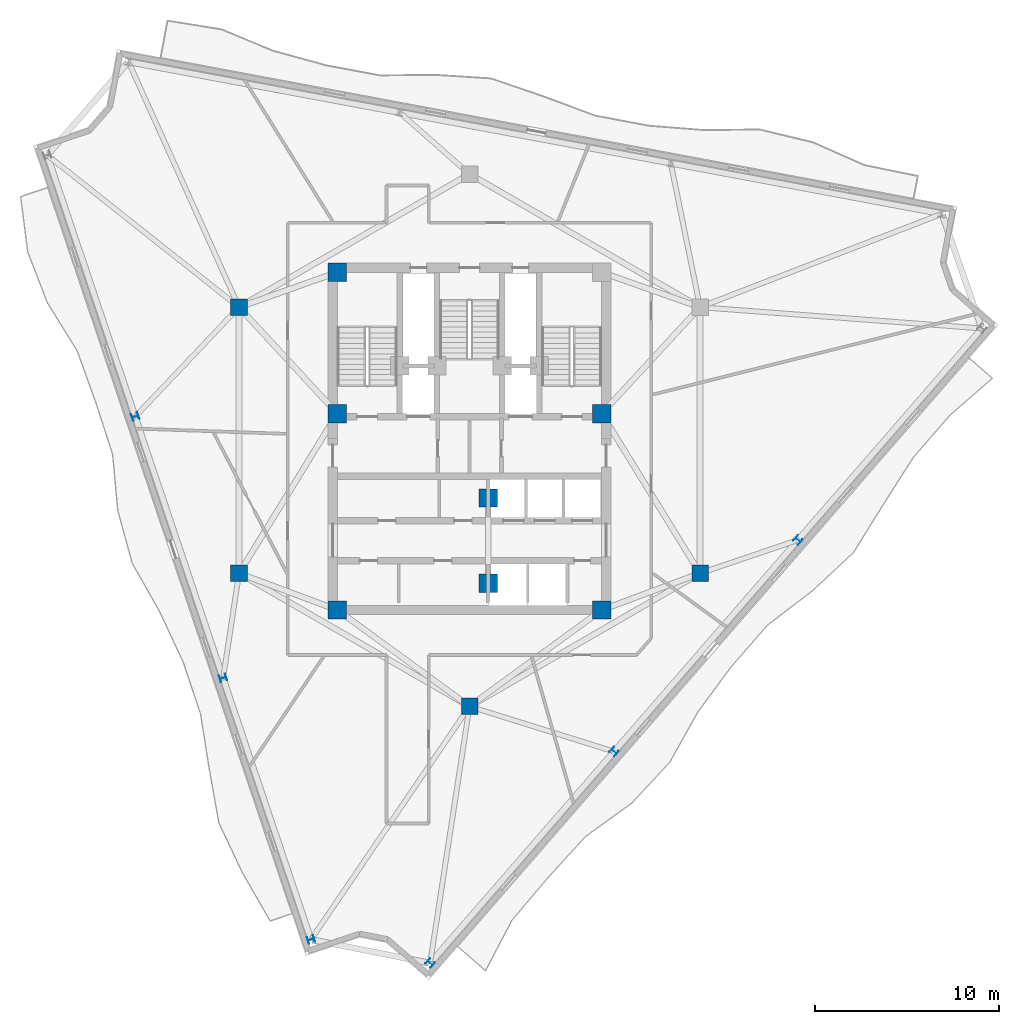
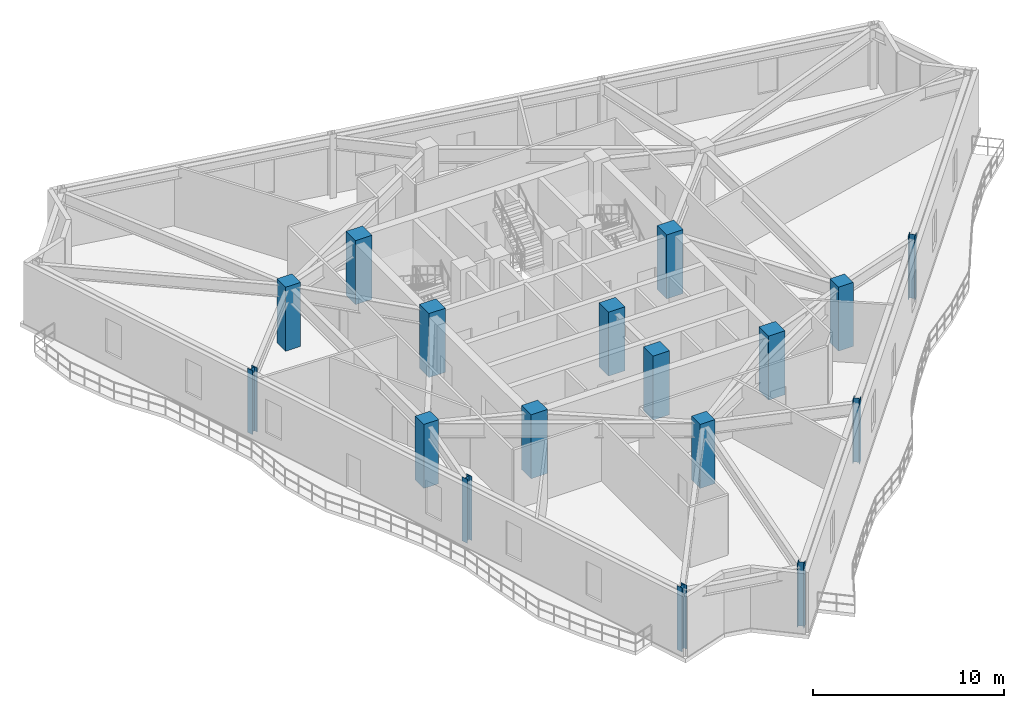
# One storey, part 1 of 9: 17 columns.
"""IFC4 building model written with IfcOpenShell, lengths in metres."""

import ifcopenshell
import ifcopenshell.guid

model = None  # the IFC model being written
_history = None  # IfcOwnerHistory: only IFC2X3 demands one
_inside = {}  # id of a spatial element -> (the spatial element, [elements in it])
_under = {}  # id of a project, library or spatial element -> (it, [spatial elements below it])
_declared = {}  # id of a project -> (the project, [libraries it declares])
_typed = {}  # id of a type object -> (the type object, [elements of that type])
_made_of = {}  # id of a material, layer set ... -> (it, [elements and type objects made of it])


def new_model(schema):
    """Start an empty IFC model of exactly this schema.

    Asked for "IFC4X3", IfcOpenShell would pick the latest addendum, in which some entities
    have other attributes; the version numbers below select the first issue.
    IFC2X3 requires an IfcOwnerHistory on every rooted entity: one is made here for all.
    """
    global model, _history
    if schema == "IFC4X3":
        model = ifcopenshell.file(schema_version=(4, 3, 0, 0))
    else:
        model = ifcopenshell.file(schema=schema)
    _inside.clear()
    _under.clear()
    _declared.clear()
    _typed.clear()
    _made_of.clear()
    _history = None
    if model.schema == "IFC2X3":
        org = make("IfcOrganization", Name="unknown")
        user = make(
            "IfcPersonAndOrganization",
            ThePerson=make("IfcPerson", FamilyName="unknown"),
            TheOrganization=org,
        )
        app = make(
            "IfcApplication",
            ApplicationDeveloper=org,
            Version="unknown",
            ApplicationFullName="unknown",
            ApplicationIdentifier="unknown",
        )
        _history = make(
            "IfcOwnerHistory",
            OwningUser=user,
            OwningApplication=app,
            ChangeAction="ADDED",
            CreationDate=0,
        )
    return model


def make(cls, **values):
    """One entity of the class cls with the attributes given. An attribute that is None is left unset."""
    return model.create_entity(
        cls, **{name: value for name, value in values.items() if value is not None}
    )


def rooted(cls, **values):
    """An entity with a GlobalId (a new one), such as an element, a storey or a relation."""
    return make(cls, GlobalId=ifcopenshell.guid.new(), OwnerHistory=_history, **values)


def si_unit(unit_type, name, prefix=None):
    """IfcSIUnit, for example si_unit("LENGTHUNIT", "METRE", prefix="MILLI")."""
    return make("IfcSIUnit", UnitType=unit_type, Prefix=prefix, Name=name)


def assignment(units):
    """IfcUnitAssignment: the units of a project."""
    return None if units is None else make("IfcUnitAssignment", Units=units)


def point(xyz):
    """IfcCartesianPoint."""
    return None if xyz is None else make("IfcCartesianPoint", Coordinates=xyz)


def direction(xyz):
    """IfcDirection."""
    return None if xyz is None else make("IfcDirection", DirectionRatios=xyz)


def frame(location, z_axis=None, x_axis=None):
    """IfcAxis2Placement3D, a coordinate frame: its origin and axes. An axis left out is left unset."""
    return make(
        "IfcAxis2Placement3D",
        Location=point(location),
        Axis=direction(z_axis),
        RefDirection=direction(x_axis),
    )


def frame_2d(location, x_axis=None):
    """IfcAxis2Placement2D, a coordinate frame in the plane: its origin and x axis."""
    return make(
        "IfcAxis2Placement2D", Location=point(location), RefDirection=direction(x_axis)
    )


def origin():
    """The frame at (0, 0, 0) with its axes left unset."""
    return frame((0.0, 0.0, 0.0))


def origin_2d():
    """The frame at (0, 0) in the plane with its x axis left unset."""
    return frame_2d((0.0, 0.0))


def place(relative_to, where):
    """IfcLocalPlacement: puts the frame where relative to a parent placement (None: the world)."""
    return make(
        "IfcLocalPlacement", PlacementRelTo=relative_to, RelativePlacement=where
    )


def context(
    kind, dimensions, precision=None, world=None, true_north=None, identifier=None
):
    """IfcGeometricRepresentationContext, for example the 3D "Model" context."""
    return make(
        "IfcGeometricRepresentationContext",
        ContextIdentifier=identifier,
        ContextType=kind,
        CoordinateSpaceDimension=dimensions,
        Precision=precision,
        WorldCoordinateSystem=world,
        TrueNorth=true_north,
    )


def subcontext(parent, identifier, kind, view, scale=None):
    """IfcGeometricRepresentationSubContext, for example "Body" below "Model"."""
    return make(
        "IfcGeometricRepresentationSubContext",
        ContextIdentifier=identifier,
        ContextType=kind,
        ParentContext=parent,
        TargetScale=scale,
        TargetView=view,
    )


def project(units=None, contexts=None):
    """IfcProject with its units and contexts."""
    return rooted(
        "IfcProject",
        Name="project",
        RepresentationContexts=contexts,
        UnitsInContext=assignment(units),
    )


def spatial(cls, under=None, at=None, **own):
    """A site, building, storey or space (cls), placed at a placement, below another one or the project."""
    s = rooted(cls, ObjectPlacement=at, **own)
    if under is not None:
        _under.setdefault(under.id(), (under, []))[1].append(s)
    return s


def profile(cls, at=None, kind="AREA", **sizes):
    """A parametric profile (cls). Its sizes go by their IFC names, for example OverallWidth=200.0."""
    return make(cls, ProfileType=kind, Position=at, **sizes)


def rectangle(**sizes):
    """IfcRectangleProfileDef."""
    return profile("IfcRectangleProfileDef", **sizes)


def i_section(**sizes):
    """IfcIShapeProfileDef."""
    return profile("IfcIShapeProfileDef", **sizes)


def extrude(swept, where, along, depth):
    """IfcExtrudedAreaSolid: the profile swept, set in the frame where, extruded along a direction by depth."""
    return make(
        "IfcExtrudedAreaSolid",
        SweptArea=swept,
        Position=where,
        ExtrudedDirection=direction(along),
        Depth=depth,
    )


def shape(context_of_items, identifier, shape_type, items):
    """IfcShapeRepresentation: the items that make up one representation, for example the "Body"."""
    return make(
        "IfcShapeRepresentation",
        ContextOfItems=context_of_items,
        RepresentationIdentifier=identifier,
        RepresentationType=shape_type,
        Items=items,
    )


def material(Name=None, Category=None):
    """IfcMaterial."""
    return make("IfcMaterial", Name=Name, Category=Category)


def material_profile(
    of_material, cross_section, Name=None, Category=None, Priority=None
):
    """IfcMaterialProfile: a cross section and its material."""
    return make(
        "IfcMaterialProfile",
        Name=Name,
        Material=of_material,
        Profile=cross_section,
        Priority=Priority,
        Category=Category,
    )


def profile_set(profiles, Name=None, composite=None):
    """IfcMaterialProfileSet."""
    return make(
        "IfcMaterialProfileSet",
        Name=Name,
        MaterialProfiles=profiles,
        CompositeProfile=composite,
    )


def made_of(thing, what):
    """Note that an element or type object is made of a material, layer set ...; save() writes the relation."""
    if what is not None:
        _made_of.setdefault(what.id(), (what, []))[1].append(thing)
    return thing


def type_object(cls, material=None, **own):
    """A type object (cls), such as IfcWallType, which elements share."""
    return made_of(rooted(cls, **own), material)


def element(
    cls,
    number,
    at=None,
    inside=None,
    cuts=None,
    type_object=None,
    material=None,
    context=None,
    identifier="Body",
    shape_type=None,
    held_by="IfcProductDefinitionShape",
    body=None,
    shapes=None,
    **own,
):
    """One element of the class cls, such as IfcWall. Its Tag is "e" and its number.

    at: its placement. inside: the storey or other place that contains it. cuts: it is an
    opening in that element (IfcRelVoidsElement). A single representation is given by context,
    identifier, shape_type and body (its items); several are given by shapes. held_by: the class
    of the entity that holds the representations. save() writes the other relations.
    """
    e = rooted(cls, Tag="e%d" % number, ObjectPlacement=at, **own)
    if body is not None:
        shapes = [shape(context, identifier, shape_type, body)]
    if shapes is not None:
        e.Representation = make(held_by, Representations=shapes)
    if inside is not None:
        _inside.setdefault(inside.id(), (inside, []))[1].append(e)
    if cuts is not None:
        rooted(
            "IfcRelVoidsElement", RelatingBuildingElement=cuts, RelatedOpeningElement=e
        )
    if type_object is not None:
        _typed.setdefault(type_object.id(), (type_object, []))[1].append(e)
    return made_of(e, material)


def aggregate(whole, parts):
    """IfcRelAggregates: a whole, such as a stair, and the parts it consists of."""
    return rooted("IfcRelAggregates", RelatingObject=whole, RelatedObjects=parts)


def save(model, path):
    """Write the relations noted so far, then the file.

    IfcRelAggregates (storeys below a building ...), IfcRelContainedInSpatialStructure (elements
    in a storey), IfcRelDefinesByType, IfcRelAssociatesMaterial and IfcRelDeclares: one each for
    every whole, place, type object, material and project.
    """
    for whole, parts in _under.values():
        aggregate(whole, parts)
    for where, things in _inside.values():
        rooted(
            "IfcRelContainedInSpatialStructure",
            RelatedElements=things,
            RelatingStructure=where,
        )
    for kind, things in _typed.values():
        rooted("IfcRelDefinesByType", RelatedObjects=things, RelatingType=kind)
    for what, things in _made_of.values():
        rooted("IfcRelAssociatesMaterial", RelatedObjects=things, RelatingMaterial=what)
    for by, libraries in _declared.values():
        rooted("IfcRelDeclares", RelatingContext=by, RelatedDefinitions=libraries)
    model.write(path)


model = new_model("IFC4")

# Units and contexts
model_context = context("Model", 3, precision=1e-05, world=origin(), true_north=direction((0.0, 1.0)))
body_context = subcontext(model_context, "Body", "Model", "MODEL_VIEW")
ifc_project = project(units=[si_unit("LENGTHUNIT", "METRE"), si_unit("AREAUNIT", "SQUARE_METRE"), si_unit("VOLUMEUNIT", "CUBIC_METRE"), si_unit("PLANEANGLEUNIT", "RADIAN"), si_unit("MASSUNIT", "GRAM", prefix="KILO")], contexts=[model_context])

# Site, building, storey
site_placement = place(None, origin())
site = spatial("IfcSite", under=ifc_project, at=site_placement, CompositionType="ELEMENT")
building_placement = place(site_placement, origin())
building = spatial("IfcBuilding", under=site, at=building_placement, Name="Apsidion Concourse Tower", CompositionType="ELEMENT")
storey_placement = place(building_placement, frame((0.0, 0.0, 273.699951171875)))
storey = spatial("IfcBuildingStorey", under=building, at=storey_placement, Name="L64", CompositionType="ELEMENT", Elevation=273.699951171875)

# Columns
ifc_material_1 = material(Name="Concrete C50/60", Category="concrete")
ifc_material_profile_1 = material_profile(ifc_material_1, rectangle(XDim=1.0, YDim=1.0, at=origin_2d()), Name="RC 1000x1000")
ifc_profile_set_1 = profile_set([ifc_material_profile_1], Name="Concrete C50/60")
column_type_1 = type_object("IfcColumnType", Name="COL-RC-1000", PredefinedType="COLUMN", material=ifc_profile_set_1)
for number, where, z_axis, x_axis, name in (
    (1, (-7.199951171875, -9.25, 0.0), (0.0, 0.0, 1.0), (1.0, 0.0, 0.0), "L64 Core Super-Column SC1"),
    (2, (7.199951171875, -9.25, 0.0), (0.0, 0.0, 1.0), (1.0, 0.0, 0.0), "L64 Core Super-Column SC2"),
    (3, (7.199951171875, 1.449951171875, 0.0), (0.0, 0.0, 1.0), (1.0, 0.0, 0.0), "L64 Core Super-Column SC3"),
    (4, (-7.199951171875, 9.14990234375, 0.0), (0.0, 0.0, 1.0), (1.0, 0.0, 0.0), "L64 Core Super-Column SC5"),
    (5, (-7.199951171875, 1.449951171875, 0.0), (0.0, 0.0, 1.0), (1.0, 0.0, 0.0), "L64 Core Super-Column SC6"),
    (6, (1.02490234375, -3.14990234375, 0.0), (0.0, 0.0, 1.0), (1.0, 0.0, 0.0), "L64 Core Super-Column CC5"),
    (7, (1.02490234375, -7.800048828125, 0.0), (0.0, 0.0, 1.0), (1.0, 0.0, 0.0), "L64 Core Super-Column CC6"),
):
    element("IfcColumn", number, at=place(storey_placement, frame(where, z_axis=z_axis, x_axis=x_axis)), inside=storey, type_object=column_type_1, Name=name, PredefinedType="COLUMN", context=body_context, shape_type="SweptSolid", body=[
        extrude(rectangle(XDim=1.0, YDim=1.0, at=origin_2d()), origin(), (0.0, 0.0, 1.0), 4.10009765625),
    ])
ifc_material_profile_2 = material_profile(ifc_material_1, rectangle(XDim=0.89990234375, YDim=0.89990234375, at=origin_2d()), Name="RC 900x900")
ifc_profile_set_2 = profile_set([ifc_material_profile_2], Name="Concrete C50/60")
column_type_2 = type_object("IfcColumnType", Name="COL-RC-900", PredefinedType="COLUMN", material=ifc_profile_set_2)
for number, where, z_axis, x_axis, name in (
    (8, (-12.56005859375, -7.25, 0.0), (0.0, 0.0, 1.0), (1.0, 0.0, 0.0), "L64 Interior Spine Column IC1"),
    (9, (12.56005859375, -7.25, 0.0), (0.0, 0.0, 1.0), (1.0, 0.0, 0.0), "L64 Interior Spine Column IC2"),
    (10, (-12.56005859375, 7.25, 0.0), (0.0, 0.0, 1.0), (1.0, 0.0, 0.0), "L64 Interior Spine Column IC5"),
    (11, (0.0, -14.5, 0.0), (0.0, 0.0, 1.0), (1.0, 0.0, 0.0), "L64 Interior Spine Column IC6"),
):
    element("IfcColumn", number, at=place(storey_placement, frame(where, z_axis=z_axis, x_axis=x_axis)), inside=storey, type_object=column_type_2, Name=name, PredefinedType="COLUMN", context=body_context, shape_type="SweptSolid", body=[
        extrude(rectangle(XDim=0.89990234375, YDim=0.89990234375, at=origin_2d()), origin(), (0.0, 0.0, 1.0), 4.10009765625),
    ])
ifc_material_2 = material(Name="Structural steel ASTM A992 Grade 50", Category="steel")
ifc_material_profile_3 = material_profile(ifc_material_2, i_section(OverallWidth=0.373046875, OverallDepth=0.373046875, WebThickness=0.016357421875, FlangeThickness=0.026123046875, at=origin_2d()), Name="W14X132")
ifc_profile_set_3 = profile_set([ifc_material_profile_3], Name="Structural steel ASTM A992 Grade 50")
column_type_3 = type_object("IfcColumnType", Name="COL-W14-132", PredefinedType="COLUMN", material=ifc_profile_set_3)
for number, where, z_axis, x_axis, name in (
    (12, (-18.215087890625, 1.285888671875, 0.0), (0.0, 0.0, 1.0), (-0.318628456287, 0.947879690069, 0.0), "L64 Rotated Perimeter Column PC02"),
    (13, (-13.42578125, -12.959228515625, 0.0), (0.0, 0.0, 1.0), (-0.318628456287, 0.947879690069, 0.0), "L64 Rotated Perimeter Column PC03"),
    (14, (-8.636474609375, -27.20458984375, 0.0), (0.0, 0.0, 1.0), (-0.318628456287, 0.947879690069, 0.0), "L64 Rotated Perimeter Column PC04"),
    (15, (-2.146728515625, -28.490478515625, 0.0), (0.0, 0.0, 1.0), (0.656059028991, 0.754709580223, 0.0), "L64 Rotated Perimeter Column PC05"),
    (16, (7.87353515625, -16.96337890625, 0.0), (0.0, 0.0, 1.0), (0.656059028991, 0.754709580223, 0.0), "L64 Rotated Perimeter Column PC06"),
    (17, (17.89404296875, -5.436279296875, 0.0), (0.0, 0.0, 1.0), (0.656059028991, 0.754709580223, 0.0), "L64 Rotated Perimeter Column PC07"),
):
    element("IfcColumn", number, at=place(storey_placement, frame(where, z_axis=z_axis, x_axis=x_axis)), inside=storey, type_object=column_type_3, Name=name, PredefinedType="COLUMN", context=body_context, shape_type="SweptSolid", body=[
        extrude(i_section(OverallWidth=0.373046875, OverallDepth=0.373046875, WebThickness=0.016357421875, FlangeThickness=0.026123046875, at=origin_2d()), origin(), (0.0, 0.0, 1.0), 4.10009765625),
    ])

save(model, "model.ifc")
